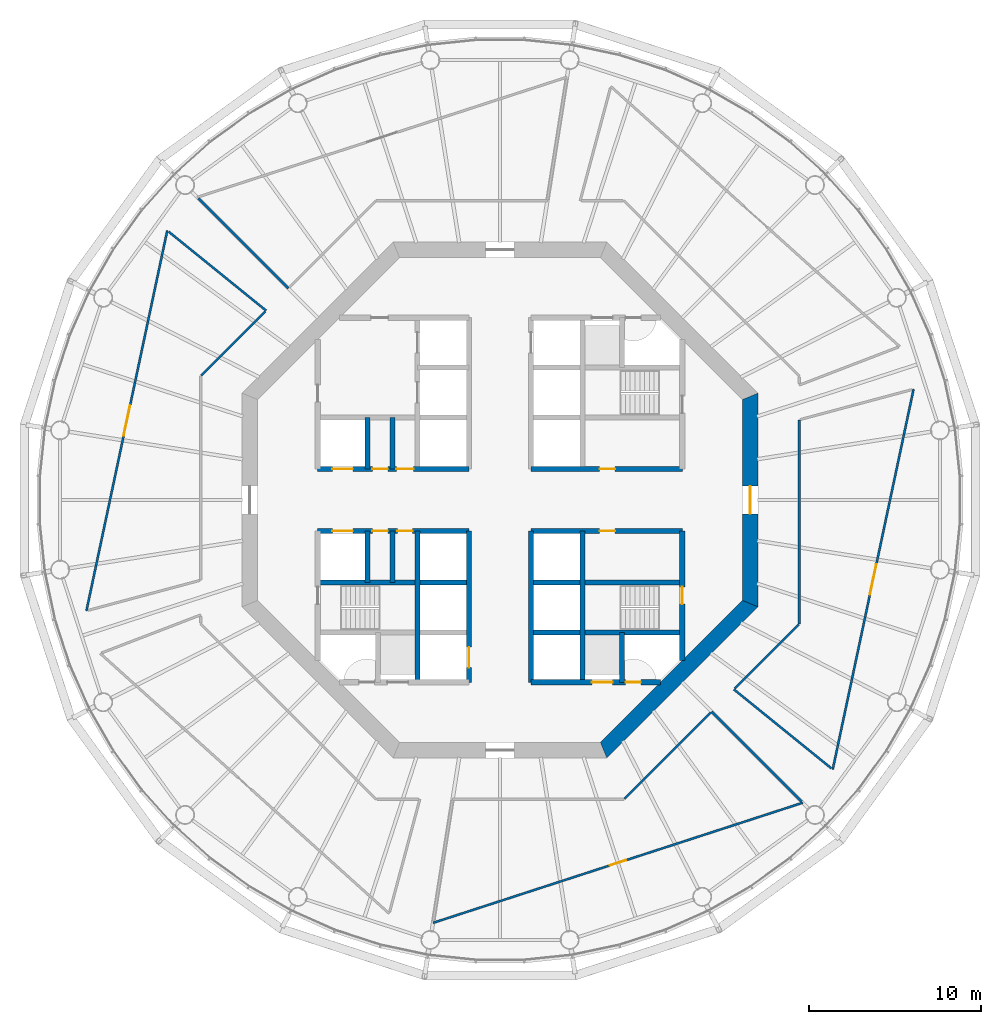
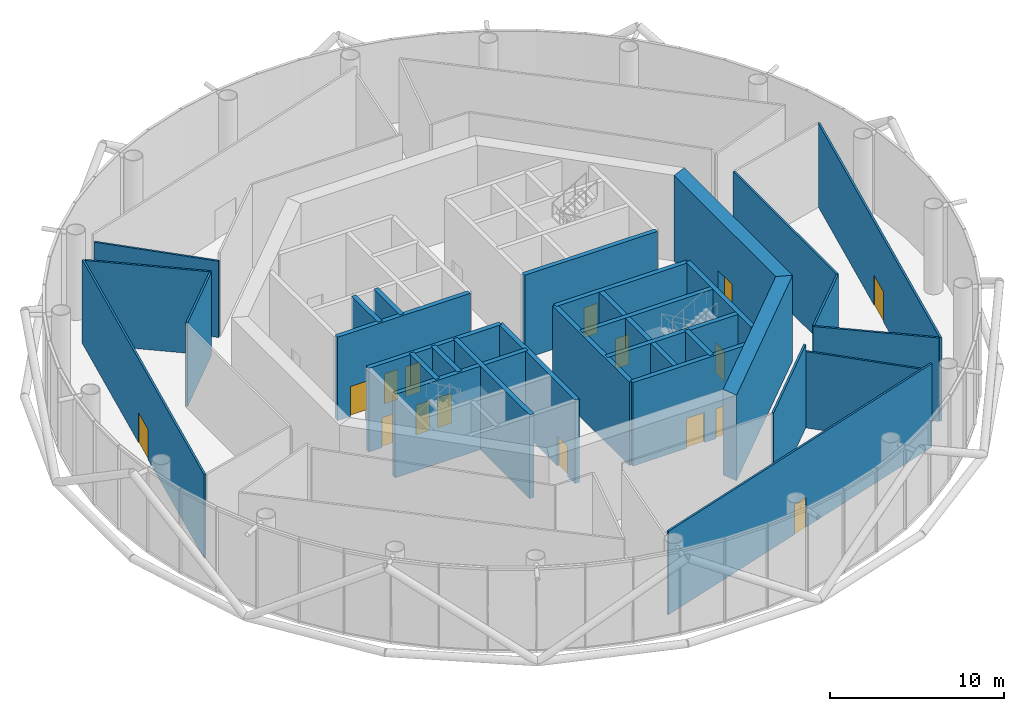
# One storey, part 4 of 14: 31 walls, 16 doors, 16 openings.
"""IFC4 building model written with IfcOpenShell, lengths in metres."""

from ifc_helpers import new_model, si_unit, direction, frame, frame_2d, origin, place, context, subcontext, project, spatial, polyline, rectangle, outline, extrude, material, layer, layer_set, type_object, element, fill, save


model = new_model("IFC4")

# Units and contexts
model_context = context("Model", 3, precision=1e-05, world=origin(), true_north=direction((0.0, 1.0)))
body_context = subcontext(model_context, "Body", "Model", "MODEL_VIEW")
ifc_project = project(units=[si_unit("LENGTHUNIT", "METRE"), si_unit("AREAUNIT", "SQUARE_METRE"), si_unit("VOLUMEUNIT", "CUBIC_METRE"), si_unit("PLANEANGLEUNIT", "RADIAN"), si_unit("MASSUNIT", "GRAM", prefix="KILO")], contexts=[model_context])

# Site, building, storey
site_placement = place(None, origin())
site = spatial("IfcSite", under=ifc_project, at=site_placement, CompositionType="ELEMENT")
building_placement = place(site_placement, origin())
building = spatial("IfcBuilding", under=site, at=building_placement, Name="Entoto Ring Tower", CompositionType="ELEMENT")
storey_placement = place(building_placement, frame((0.0, 0.0, 262.0)))
storey = spatial("IfcBuildingStorey", under=building, at=storey_placement, Name="L60", CompositionType="ELEMENT", Elevation=262.0)

# Wall, opening, door
ifc_material_1 = material(Name="Concrete C40/50", Category="concrete")
ifc_layer_1 = layer(ifc_material_1, 0.300048828125)
ifc_layer_set_1 = layer_set([ifc_layer_1], Name="Concrete C40/50")
wall_type_1 = type_object("IfcWallType", Name="Core enclosure wall 300 mm reinforced concrete", PredefinedType="SOLIDWALL", material=ifc_layer_set_1)
wall_1_placement = place(storey_placement, frame((100.60009765625, 70.65966796875, 0.0), z_axis=(0.0, 0.0, 1.0), x_axis=(0.0, 1.0, 0.0)))
wall_1 = element("IfcWall", 1, at=wall_1_placement, inside=storey, type_object=wall_type_1, Name="wall-L60-001", PredefinedType="SOLIDWALL", context=body_context, shape_type="SweptSolid", body=[
    extrude(rectangle(XDim=7.540283203125, YDim=0.300048828125, at=frame_2d((3.77001953125, 0.0))), origin(), (0.0, 0.0, 1.0), 5.85009765625),
])
opening_1_placement = place(wall_1_placement, frame((3.290283203125, 0.0, 0.0)))
opening_1 = element("IfcOpeningElement", 2, at=opening_1_placement, cuts=wall_1, Name="Opening K-65", PredefinedType="OPENING", context=body_context, shape_type="SweptSolid", body=[
    extrude(rectangle(XDim=1.0, YDim=2.10009765625, at=frame_2d((0.5, 1.050048828125))), frame((0.0, 0.16015625, 0.0), z_axis=(0.0, -1.0, 0.0), x_axis=(1.0, 0.0, 0.0)), (0.0, 0.0, 1.0), 0.320068359375),
])
ifc_material_2 = material(Name="Steel door leaf, fire rated", Category="steel")
ifc_layer_2 = layer(ifc_material_2, 0.050048828125)
ifc_layer_set_2 = layer_set([ifc_layer_2], Name="Steel door leaf, fire rated")
door_type_1 = type_object("IfcDoorType", Name="Fire door FD60 1000 x 2100 single leaf", OperationType="NOTDEFINED", PredefinedType="DOOR", material=ifc_layer_set_2)
door_1_placement = place(opening_1_placement, origin())
door_1 = element("IfcDoor", 3, at=door_1_placement, inside=storey, type_object=door_type_1, Name="Door K-65", OperationType="SINGLE_SWING_RIGHT", OverallHeight=2.10009765625, OverallWidth=1.0, PredefinedType="DOOR", context=body_context, shape_type="SweptSolid", body=[
    extrude(rectangle(XDim=1.0, YDim=2.10009765625, at=frame_2d((0.5, 1.050048828125))), frame((0.0, 0.02490234375, 0.0), z_axis=(0.0, -1.0, 0.0), x_axis=(1.0, 0.0, 0.0)), (0.0, 0.0, 1.0), 0.050048828125),
])
fill(opening_1, door_1)

# Walls
wall_2_placement = place(storey_placement, frame((97.10009765625, 69.39990234375, 0.0), z_axis=(0.0, 0.0, 1.0), x_axis=(0.0, 1.0, 0.0)))
element("IfcWall", 4, at=wall_2_placement, inside=storey, type_object=wall_type_1, Name="wall-L60-003", PredefinedType="SOLIDWALL", context=body_context, shape_type="SweptSolid", body=[
    extrude(rectangle(XDim=2.900146484375, YDim=0.300048828125, at=frame_2d((1.4501953125, 0.0))), origin(), (0.0, 0.0, 1.0), 5.85009765625),
])
for number, where, z_axis, x_axis, name in (
    (5, (94.800048828125, 69.39990234375, 0.0), (0.0, 0.0, 1.0), (0.0, 1.0, 0.0), "wall-L60-005"),
    (6, (91.800048828125, 69.39990234375, 0.0), (0.0, 0.0, 1.0), (0.0, 1.0, 0.0), "wall-L60-007"),
):
    element("IfcWall", number, at=place(storey_placement, frame(where, z_axis=z_axis, x_axis=x_axis)), inside=storey, type_object=wall_type_1, Name=name, PredefinedType="SOLIDWALL", context=body_context, shape_type="SweptSolid", body=[
        extrude(rectangle(XDim=8.800048828125, YDim=0.300048828125, at=frame_2d((4.39990234375, 0.0))), origin(), (0.0, 0.0, 1.0), 5.85009765625),
    ])

# Wall, opening, door
wall_3_placement = place(storey_placement, frame((88.199951171875, 69.39990234375, 0.0), z_axis=(0.0, 0.0, 1.0), x_axis=(0.0, 1.0, 0.0)))
wall_3 = element("IfcWall", 7, at=wall_3_placement, inside=storey, type_object=wall_type_1, Name="wall-L60-009", PredefinedType="SOLIDWALL", context=body_context, shape_type="SweptSolid", body=[
    extrude(rectangle(XDim=8.800048828125, YDim=0.300048828125, at=frame_2d((4.39990234375, 0.0))), origin(), (0.0, 0.0, 1.0), 5.85009765625),
])
opening_2_placement = place(wall_3_placement, frame((0.85009765625, 0.0, 0.0)))
opening_2 = element("IfcOpeningElement", 8, at=opening_2_placement, cuts=wall_3, Name="Opening LD", PredefinedType="OPENING", context=body_context, shape_type="SweptSolid", body=[
    extrude(rectangle(XDim=1.199951171875, YDim=2.10009765625, at=frame_2d((0.60009765625, 1.050048828125))), frame((0.0, 0.16015625, 0.0), z_axis=(0.0, -1.0, 0.0), x_axis=(1.0, 0.0, 0.0)), (0.0, 0.0, 1.0), 0.320068359375),
])
ifc_material_3 = material(Name="Steel and glass door leaf", Category="steel")
ifc_layer_3 = layer(ifc_material_3, 0.050048828125)
ifc_layer_set_3 = layer_set([ifc_layer_3], Name="Steel and glass door leaf")
door_type_2 = type_object("IfcDoorType", Name="Landing door 1200 x 2100 sliding", OperationType="DOUBLE_DOOR_SLIDING", PredefinedType="DOOR", material=ifc_layer_set_3)
door_2_placement = place(opening_2_placement, origin())
door_2 = element("IfcDoor", 9, at=door_2_placement, inside=storey, type_object=door_type_2, Name="Landing door SH4", OperationType="SLIDING_TO_RIGHT", OverallHeight=2.10009765625, OverallWidth=1.199951171875, PredefinedType="DOOR", context=body_context, shape_type="SweptSolid", body=[
    extrude(rectangle(XDim=1.199951171875, YDim=2.10009765625, at=frame_2d((0.60009765625, 1.050048828125))), frame((0.0, 0.02490234375, 0.0), z_axis=(0.0, -1.0, 0.0), x_axis=(1.0, 0.0, 0.0)), (0.0, 0.0, 1.0), 0.050048828125),
])
fill(opening_2, door_2)

# Walls
wall_4_placement = place(storey_placement, frame((85.199951171875, 69.39990234375, 0.0), z_axis=(0.0, 0.0, 1.0), x_axis=(0.0, 1.0, 0.0)))
element("IfcWall", 10, at=wall_4_placement, inside=storey, type_object=wall_type_1, Name="wall-L60-011", PredefinedType="SOLIDWALL", context=body_context, shape_type="SweptSolid", body=[
    extrude(rectangle(XDim=8.800048828125, YDim=0.300048828125, at=frame_2d((4.39990234375, 0.0))), origin(), (0.0, 0.0, 1.0), 5.85009765625),
])
for number, where, z_axis, x_axis, name in (
    (11, (83.75, 75.199951171875, 0.0), (0.0, 0.0, 1.0), (0.0, 1.0, 0.0), "wall-L60-013"),
    (12, (83.75, 81.800048828125, 0.0), (0.0, 0.0, 1.0), (0.0, 1.0, 0.0), "wall-L60-014"),
    (13, (82.300048828125, 75.199951171875, 0.0), (0.0, 0.0, 1.0), (0.0, 1.0, 0.0), "wall-L60-016"),
    (14, (82.300048828125, 81.800048828125, 0.0), (0.0, 0.0, 1.0), (0.0, 1.0, 0.0), "wall-L60-017"),
):
    element("IfcWall", number, at=place(storey_placement, frame(where, z_axis=z_axis, x_axis=x_axis)), inside=storey, type_object=wall_type_1, Name=name, PredefinedType="SOLIDWALL", context=body_context, shape_type="SweptSolid", body=[
        extrude(rectangle(XDim=3.0, YDim=0.300048828125, at=frame_2d((1.5, 0.0))), origin(), (0.0, 0.0, 1.0), 5.85009765625),
    ])

# Wall, openings, doors
wall_5_placement = place(storey_placement, frame((91.800048828125, 69.39990234375, 0.0), z_axis=(0.0, 0.0, 1.0), x_axis=(1.0, 0.0, 0.0)))
wall_5 = element("IfcWall", 15, at=wall_5_placement, inside=storey, type_object=wall_type_1, Name="wall-L60-021", PredefinedType="SOLIDWALL", context=body_context, shape_type="SweptSolid", body=[
    extrude(rectangle(XDim=7.540283203125, YDim=0.300048828125, at=frame_2d((3.77001953125, 0.0))), origin(), (0.0, 0.0, 1.0), 5.85009765625),
])
opening_3_placement = place(wall_5_placement, frame((3.550048828125, 0.0, 0.0)))
opening_3 = element("IfcOpeningElement", 16, at=opening_3_placement, cuts=wall_5, Name="Opening LD", PredefinedType="OPENING", context=body_context, shape_type="SweptSolid", body=[
    extrude(rectangle(XDim=1.199951171875, YDim=2.10009765625, at=frame_2d((0.60009765625, 1.050048828125))), frame((0.0, 0.16015625, 0.0), z_axis=(0.0, -1.0, 0.0), x_axis=(1.0, 0.0, 0.0)), (0.0, 0.0, 1.0), 0.320068359375),
])
opening_4_placement = place(wall_5_placement, frame((5.5, 0.0, 0.0)))
opening_4 = element("IfcOpeningElement", 17, at=opening_4_placement, cuts=wall_5, Name="Opening K-72", PredefinedType="OPENING", context=body_context, shape_type="SweptSolid", body=[
    extrude(rectangle(XDim=0.89990234375, YDim=2.10009765625, at=frame_2d((0.449951171875, 1.050048828125))), frame((0.0, 0.16015625, 0.0), z_axis=(0.0, -1.0, 0.0), x_axis=(1.0, 0.0, 0.0)), (0.0, 0.0, 1.0), 0.320068359375),
])
door_3_placement = place(opening_3_placement, origin())
door_3 = element("IfcDoor", 18, at=door_3_placement, inside=storey, type_object=door_type_2, Name="Landing door LB2-HR", OperationType="SLIDING_TO_RIGHT", OverallHeight=2.10009765625, OverallWidth=1.199951171875, PredefinedType="DOOR", context=body_context, shape_type="SweptSolid", body=[
    extrude(rectangle(XDim=1.199951171875, YDim=2.10009765625, at=frame_2d((0.60009765625, 1.050048828125))), frame((0.0, 0.02490234375, 0.0), z_axis=(0.0, -1.0, 0.0), x_axis=(1.0, 0.0, 0.0)), (0.0, 0.0, 1.0), 0.050048828125),
])
fill(opening_3, door_3)
ifc_material_4 = material(Name="Steel door leaf, fire rated", Category="steel")
ifc_layer_4 = layer(ifc_material_4, 0.050048828125)
ifc_layer_set_4 = layer_set([ifc_layer_4], Name="Steel door leaf, fire rated")
door_type_3 = type_object("IfcDoorType", Name="Riser door FD60 900 x 2100 single leaf", OperationType="NOTDEFINED", PredefinedType="DOOR", material=ifc_layer_set_4)
door_4_placement = place(opening_4_placement, origin())
door_4 = element("IfcDoor", 19, at=door_4_placement, inside=storey, type_object=door_type_3, Name="Door K-72", OperationType="SINGLE_SWING_LEFT", OverallHeight=2.10009765625, OverallWidth=0.89990234375, PredefinedType="DOOR", context=body_context, shape_type="SweptSolid", body=[
    extrude(rectangle(XDim=0.89990234375, YDim=2.10009765625, at=frame_2d((0.449951171875, 1.050048828125))), frame((0.0, 0.02490234375, 0.0), z_axis=(0.0, -1.0, 0.0), x_axis=(1.0, 0.0, 0.0)), (0.0, 0.0, 1.0), 0.050048828125),
])
fill(opening_4, door_4)

# Walls
for number, where, z_axis, x_axis, name in (
    (20, (91.800048828125, 72.300048828125, 0.0), (0.0, 0.0, 1.0), (1.0, 0.0, 0.0), "wall-L60-023"),
    (21, (79.39990234375, 75.199951171875, 0.0), (0.0, 0.0, 1.0), (1.0, 0.0, 0.0), "wall-L60-024"),
    (22, (91.800048828125, 75.199951171875, 0.0), (0.0, 0.0, 1.0), (1.0, 0.0, 0.0), "wall-L60-025"),
):
    element("IfcWall", number, at=place(storey_placement, frame(where, z_axis=z_axis, x_axis=x_axis)), inside=storey, type_object=wall_type_1, Name=name, PredefinedType="SOLIDWALL", context=body_context, shape_type="SweptSolid", body=[
        extrude(rectangle(XDim=8.800048828125, YDim=0.300048828125, at=frame_2d((4.39990234375, 0.0))), origin(), (0.0, 0.0, 1.0), 5.85009765625),
    ])

# Wall, openings, doors
wall_6_placement = place(storey_placement, frame((79.39990234375, 78.199951171875, 0.0), z_axis=(0.0, 0.0, 1.0), x_axis=(1.0, 0.0, 0.0)))
wall_6 = element("IfcWall", 23, at=wall_6_placement, inside=storey, type_object=wall_type_1, Name="wall-L60-026", PredefinedType="SOLIDWALL", context=body_context, shape_type="SweptSolid", body=[
    extrude(rectangle(XDim=8.800048828125, YDim=0.300048828125, at=frame_2d((4.39990234375, 0.0))), origin(), (0.0, 0.0, 1.0), 5.85009765625),
])
opening_5_placement = place(wall_6_placement, frame((0.85009765625, 0.0, 0.0)))
opening_5 = element("IfcOpeningElement", 24, at=opening_5_placement, cuts=wall_6, Name="Opening LD", PredefinedType="OPENING", context=body_context, shape_type="SweptSolid", body=[
    extrude(rectangle(XDim=1.199951171875, YDim=2.10009765625, at=frame_2d((0.60009765625, 1.050048828125))), frame((0.0, 0.16015625, 0.0), z_axis=(0.0, -1.0, 0.0), x_axis=(1.0, 0.0, 0.0)), (0.0, 0.0, 1.0), 0.320068359375),
])
opening_6_placement = place(wall_6_placement, frame((3.175048828125, 0.0, 0.0)))
opening_6 = element("IfcOpeningElement", 25, at=opening_6_placement, cuts=wall_6, Name="Opening K-16", PredefinedType="OPENING", context=body_context, shape_type="SweptSolid", body=[
    extrude(rectangle(XDim=0.89990234375, YDim=2.10009765625, at=frame_2d((0.449951171875, 1.050048828125))), frame((0.0, 0.16015625, 0.0), z_axis=(0.0, -1.0, 0.0), x_axis=(1.0, 0.0, 0.0)), (0.0, 0.0, 1.0), 0.320068359375),
])
opening_7_placement = place(wall_6_placement, frame((4.625, 0.0, 0.0)))
opening_7 = element("IfcOpeningElement", 26, at=opening_7_placement, cuts=wall_6, Name="Opening K-57", PredefinedType="OPENING", context=body_context, shape_type="SweptSolid", body=[
    extrude(rectangle(XDim=0.89990234375, YDim=2.10009765625, at=frame_2d((0.449951171875, 1.050048828125))), frame((0.0, 0.16015625, 0.0), z_axis=(0.0, -1.0, 0.0), x_axis=(1.0, 0.0, 0.0)), (0.0, 0.0, 1.0), 0.320068359375),
])
ifc_material_5 = material(Name="Steel door leaf, fire rated", Category="steel")
ifc_layer_5 = layer(ifc_material_5, 0.050048828125)
ifc_layer_set_5 = layer_set([ifc_layer_5], Name="Steel door leaf, fire rated")
door_type_4 = type_object("IfcDoorType", Name="Core door 900 x 2100 single leaf", OperationType="NOTDEFINED", PredefinedType="DOOR", material=ifc_layer_set_5)
door_5_placement = place(opening_6_placement, frame((0.89990234375, 0.0, 0.0), z_axis=(0.0, 0.0, 1.0), x_axis=(-1.0, 0.0, 0.0)))
door_5 = element("IfcDoor", 27, at=door_5_placement, inside=storey, type_object=door_type_4, Name="Door K-16", OperationType="SINGLE_SWING_LEFT", OverallHeight=2.10009765625, OverallWidth=0.89990234375, PredefinedType="DOOR", context=body_context, shape_type="SweptSolid", body=[
    extrude(rectangle(XDim=0.89990234375, YDim=2.10009765625, at=frame_2d((0.449951171875, 1.050048828125))), frame((0.0, 0.02490234375, 0.0), z_axis=(0.0, -1.0, 0.0), x_axis=(1.0, 0.0, 0.0)), (0.0, 0.0, 1.0), 0.050048828125),
])
fill(opening_6, door_5)
door_6_placement = place(opening_7_placement, frame((0.89990234375, 0.0, 0.0), z_axis=(0.0, 0.0, 1.0), x_axis=(-1.0, 0.0, 0.0)))
door_6 = element("IfcDoor", 28, at=door_6_placement, inside=storey, type_object=door_type_4, Name="Door K-57", OperationType="SINGLE_SWING_LEFT", OverallHeight=2.10009765625, OverallWidth=0.89990234375, PredefinedType="DOOR", context=body_context, shape_type="SweptSolid", body=[
    extrude(rectangle(XDim=0.89990234375, YDim=2.10009765625, at=frame_2d((0.449951171875, 1.050048828125))), frame((0.0, 0.02490234375, 0.0), z_axis=(0.0, -1.0, 0.0), x_axis=(1.0, 0.0, 0.0)), (0.0, 0.0, 1.0), 0.050048828125),
])
fill(opening_7, door_6)
door_7_placement = place(opening_5_placement, origin())
door_7 = element("IfcDoor", 29, at=door_7_placement, inside=storey, type_object=door_type_2, Name="Landing door SH2", OperationType="SLIDING_TO_RIGHT", OverallHeight=2.10009765625, OverallWidth=1.199951171875, PredefinedType="DOOR", context=body_context, shape_type="SweptSolid", body=[
    extrude(rectangle(XDim=1.199951171875, YDim=2.10009765625, at=frame_2d((0.60009765625, 1.050048828125))), frame((0.0, 0.02490234375, 0.0), z_axis=(0.0, -1.0, 0.0), x_axis=(1.0, 0.0, 0.0)), (0.0, 0.0, 1.0), 0.050048828125),
])
fill(opening_5, door_7)

# Wall, opening, door
wall_7_placement = place(storey_placement, frame((91.800048828125, 78.199951171875, 0.0), z_axis=(0.0, 0.0, 1.0), x_axis=(1.0, 0.0, 0.0)))
wall_7 = element("IfcWall", 30, at=wall_7_placement, inside=storey, type_object=wall_type_1, Name="wall-L60-027", PredefinedType="SOLIDWALL", context=body_context, shape_type="SweptSolid", body=[
    extrude(rectangle(XDim=8.800048828125, YDim=0.300048828125, at=frame_2d((4.39990234375, 0.0))), origin(), (0.0, 0.0, 1.0), 5.85009765625),
])
opening_8_placement = place(wall_7_placement, frame((4.0, 0.0, 0.0)))
opening_8 = element("IfcOpeningElement", 31, at=opening_8_placement, cuts=wall_7, Name="Opening K-15", PredefinedType="OPENING", context=body_context, shape_type="SweptSolid", body=[
    extrude(rectangle(XDim=0.89990234375, YDim=2.10009765625, at=frame_2d((0.449951171875, 1.050048828125))), frame((0.0, 0.16015625, 0.0), z_axis=(0.0, -1.0, 0.0), x_axis=(1.0, 0.0, 0.0)), (0.0, 0.0, 1.0), 0.320068359375),
])
door_8_placement = place(opening_8_placement, frame((0.89990234375, 0.0, 0.0), z_axis=(0.0, 0.0, 1.0), x_axis=(-1.0, 0.0, 0.0)))
door_8 = element("IfcDoor", 32, at=door_8_placement, inside=storey, type_object=door_type_4, Name="Door K-15", OperationType="SINGLE_SWING_RIGHT", OverallHeight=2.10009765625, OverallWidth=0.89990234375, PredefinedType="DOOR", context=body_context, shape_type="SweptSolid", body=[
    extrude(rectangle(XDim=0.89990234375, YDim=2.10009765625, at=frame_2d((0.449951171875, 1.050048828125))), frame((0.0, 0.02490234375, 0.0), z_axis=(0.0, -1.0, 0.0), x_axis=(1.0, 0.0, 0.0)), (0.0, 0.0, 1.0), 0.050048828125),
])
fill(opening_8, door_8)

# Wall, openings, doors
wall_8_placement = place(storey_placement, frame((79.39990234375, 81.800048828125, 0.0), z_axis=(0.0, 0.0, 1.0), x_axis=(1.0, 0.0, 0.0)))
wall_8 = element("IfcWall", 33, at=wall_8_placement, inside=storey, type_object=wall_type_1, Name="wall-L60-028", PredefinedType="SOLIDWALL", context=body_context, shape_type="SweptSolid", body=[
    extrude(rectangle(XDim=8.800048828125, YDim=0.300048828125, at=frame_2d((4.39990234375, 0.0))), origin(), (0.0, 0.0, 1.0), 5.85009765625),
])
opening_9_placement = place(wall_8_placement, frame((0.85009765625, 0.0, 0.0)))
opening_9 = element("IfcOpeningElement", 34, at=opening_9_placement, cuts=wall_8, Name="Opening LD", PredefinedType="OPENING", context=body_context, shape_type="SweptSolid", body=[
    extrude(rectangle(XDim=1.199951171875, YDim=2.10009765625, at=frame_2d((0.60009765625, 1.050048828125))), frame((0.0, 0.16015625, 0.0), z_axis=(0.0, -1.0, 0.0), x_axis=(1.0, 0.0, 0.0)), (0.0, 0.0, 1.0), 0.320068359375),
])
opening_10_placement = place(wall_8_placement, frame((3.175048828125, 0.0, 0.0)))
opening_10 = element("IfcOpeningElement", 35, at=opening_10_placement, cuts=wall_8, Name="Opening K-46", PredefinedType="OPENING", context=body_context, shape_type="SweptSolid", body=[
    extrude(rectangle(XDim=0.89990234375, YDim=2.10009765625, at=frame_2d((0.449951171875, 1.050048828125))), frame((0.0, 0.16015625, 0.0), z_axis=(0.0, -1.0, 0.0), x_axis=(1.0, 0.0, 0.0)), (0.0, 0.0, 1.0), 0.320068359375),
])
opening_11_placement = place(wall_8_placement, frame((4.574951171875, 0.0, 0.0)))
opening_11 = element("IfcOpeningElement", 36, at=opening_11_placement, cuts=wall_8, Name="Opening K-50", PredefinedType="OPENING", context=body_context, shape_type="SweptSolid", body=[
    extrude(rectangle(XDim=1.0, YDim=2.10009765625, at=frame_2d((0.5, 1.050048828125))), frame((0.0, 0.16015625, 0.0), z_axis=(0.0, -1.0, 0.0), x_axis=(1.0, 0.0, 0.0)), (0.0, 0.0, 1.0), 0.320068359375),
])
ifc_material_6 = material(Name="Steel door leaf, fire rated", Category="steel")
ifc_layer_6 = layer(ifc_material_6, 0.050048828125)
ifc_layer_set_6 = layer_set([ifc_layer_6], Name="Steel door leaf, fire rated")
door_type_5 = type_object("IfcDoorType", Name="Accessible door 1000 x 2100 single leaf", OperationType="NOTDEFINED", PredefinedType="DOOR", material=ifc_layer_set_6)
door_9_placement = place(opening_11_placement, frame((1.0, 0.0, 0.0), z_axis=(0.0, 0.0, 1.0), x_axis=(-1.0, 0.0, 0.0)))
door_9 = element("IfcDoor", 37, at=door_9_placement, inside=storey, type_object=door_type_5, Name="Door K-50", OperationType="SINGLE_SWING_RIGHT", OverallHeight=2.10009765625, OverallWidth=1.0, PredefinedType="DOOR", context=body_context, shape_type="SweptSolid", body=[
    extrude(rectangle(XDim=1.0, YDim=2.10009765625, at=frame_2d((0.5, 1.050048828125))), frame((0.0, 0.02490234375, 0.0), z_axis=(0.0, -1.0, 0.0), x_axis=(1.0, 0.0, 0.0)), (0.0, 0.0, 1.0), 0.050048828125),
])
fill(opening_11, door_9)
door_10_placement = place(opening_10_placement, frame((0.89990234375, 0.0, 0.0), z_axis=(0.0, 0.0, 1.0), x_axis=(-1.0, 0.0, 0.0)))
door_10 = element("IfcDoor", 38, at=door_10_placement, inside=storey, type_object=door_type_4, Name="Door K-46", OperationType="SINGLE_SWING_RIGHT", OverallHeight=2.10009765625, OverallWidth=0.89990234375, PredefinedType="DOOR", context=body_context, shape_type="SweptSolid", body=[
    extrude(rectangle(XDim=0.89990234375, YDim=2.10009765625, at=frame_2d((0.449951171875, 1.050048828125))), frame((0.0, 0.02490234375, 0.0), z_axis=(0.0, -1.0, 0.0), x_axis=(1.0, 0.0, 0.0)), (0.0, 0.0, 1.0), 0.050048828125),
])
fill(opening_10, door_10)
door_11_placement = place(opening_9_placement, origin())
door_11 = element("IfcDoor", 39, at=door_11_placement, inside=storey, type_object=door_type_2, Name="Landing door SH1", OperationType="SLIDING_TO_RIGHT", OverallHeight=2.10009765625, OverallWidth=1.199951171875, PredefinedType="DOOR", context=body_context, shape_type="SweptSolid", body=[
    extrude(rectangle(XDim=1.199951171875, YDim=2.10009765625, at=frame_2d((0.60009765625, 1.050048828125))), frame((0.0, 0.02490234375, 0.0), z_axis=(0.0, -1.0, 0.0), x_axis=(1.0, 0.0, 0.0)), (0.0, 0.0, 1.0), 0.050048828125),
])
fill(opening_9, door_11)

# Wall, opening, door
wall_9_placement = place(storey_placement, frame((91.800048828125, 81.800048828125, 0.0), z_axis=(0.0, 0.0, 1.0), x_axis=(1.0, 0.0, 0.0)))
wall_9 = element("IfcWall", 40, at=wall_9_placement, inside=storey, type_object=wall_type_1, Name="wall-L60-029", PredefinedType="SOLIDWALL", context=body_context, shape_type="SweptSolid", body=[
    extrude(rectangle(XDim=8.800048828125, YDim=0.300048828125, at=frame_2d((4.39990234375, 0.0))), origin(), (0.0, 0.0, 1.0), 5.85009765625),
])
opening_12_placement = place(wall_9_placement, frame((4.0, 0.0, 0.0)))
opening_12 = element("IfcOpeningElement", 41, at=opening_12_placement, cuts=wall_9, Name="Opening K-12", PredefinedType="OPENING", context=body_context, shape_type="SweptSolid", body=[
    extrude(rectangle(XDim=0.89990234375, YDim=2.10009765625, at=frame_2d((0.449951171875, 1.050048828125))), frame((0.0, 0.16015625, 0.0), z_axis=(0.0, -1.0, 0.0), x_axis=(1.0, 0.0, 0.0)), (0.0, 0.0, 1.0), 0.320068359375),
])
door_12_placement = place(opening_12_placement, frame((0.89990234375, 0.0, 0.0), z_axis=(0.0, 0.0, 1.0), x_axis=(-1.0, 0.0, 0.0)))
door_12 = element("IfcDoor", 42, at=door_12_placement, inside=storey, type_object=door_type_4, Name="Door K-12", OperationType="SINGLE_SWING_LEFT", OverallHeight=2.10009765625, OverallWidth=0.89990234375, PredefinedType="DOOR", context=body_context, shape_type="SweptSolid", body=[
    extrude(rectangle(XDim=0.89990234375, YDim=2.10009765625, at=frame_2d((0.449951171875, 1.050048828125))), frame((0.0, 0.02490234375, 0.0), z_axis=(0.0, -1.0, 0.0), x_axis=(1.0, 0.0, 0.0)), (0.0, 0.0, 1.0), 0.050048828125),
])
fill(opening_12, door_12)

ifc_material_7 = material(Name="Concrete C50/60", Category="concrete")
ifc_layer_7 = layer(ifc_material_7, 0.89990234375)
ifc_layer_set_7 = layer_set([ifc_layer_7], Name="Concrete C50/60")
wall_type_2 = type_object("IfcWallType", Name="Core shear wall 900 mm reinforced concrete C50/60", PredefinedType="SHEAR", material=ifc_layer_set_7)
wall_10_placement = place(storey_placement, frame((104.550048828125, 73.97314453125, 0.0), z_axis=(0.0, 0.0, 1.0), x_axis=(0.0, 1.0, 0.0)))
wall_10 = element("IfcWall", 43, at=wall_10_placement, inside=storey, type_object=wall_type_2, Name="wall-L60-core-0", PredefinedType="SHEAR", context=body_context, shape_type="SweptSolid", body=[
    extrude(outline(polyline([(-0.186279296875, -0.449951171875), (12.239990234375, -0.449951171875), (11.867431640625, 0.449951171875), (0.186279296875, 0.449951171875), (-0.186279296875, -0.449951171875)])), origin(), (0.0, 0.0, 1.0), 6.0),
])
opening_13_placement = place(wall_10_placement, frame((5.226806640625, 0.0, 0.0)))
opening_13 = element("IfcOpeningElement", 44, at=opening_13_placement, cuts=wall_10, Name="Opening K-01", PredefinedType="OPENING", context=body_context, shape_type="SweptSolid", body=[
    extrude(rectangle(XDim=1.60009765625, YDim=2.39990234375, at=frame_2d((0.800048828125, 1.199951171875))), frame((0.0, 0.4599609375, 0.0), z_axis=(0.0, -1.0, 0.0), x_axis=(1.0, 0.0, 0.0)), (0.0, 0.0, 1.0), 0.919921875),
])
ifc_material_8 = material(Name="Steel door leaf, fire rated", Category="steel")
ifc_layer_8 = layer(ifc_material_8, 0.050048828125)
ifc_layer_set_8 = layer_set([ifc_layer_8], Name="Steel door leaf, fire rated")
door_type_6 = type_object("IfcDoorType", Name="Entrance door FD60 1600 x 2400 double leaf", OperationType="DOUBLE_DOOR_SINGLE_SWING", PredefinedType="DOOR", material=ifc_layer_set_8)
door_13_placement = place(opening_13_placement, origin())
door_13 = element("IfcDoor", 45, at=door_13_placement, inside=storey, type_object=door_type_6, Name="Entrance door K-01", OperationType="DOUBLE_DOOR_SINGLE_SWING", OverallHeight=2.39990234375, OverallWidth=1.60009765625, PredefinedType="DOOR", context=body_context, shape_type="SweptSolid", body=[
    extrude(rectangle(XDim=1.60009765625, YDim=2.39990234375, at=frame_2d((0.800048828125, 1.199951171875))), frame((0.0, 0.02490234375, 0.0), z_axis=(0.0, -1.0, 0.0), x_axis=(1.0, 0.0, 0.0)), (0.0, 0.0, 1.0), 0.050048828125),
])
fill(opening_13, door_13)

# Wall
wall_11_placement = place(storey_placement, frame((96.02685546875, 65.449951171875, 0.0), z_axis=(0.0, 0.0, 1.0), x_axis=(0.707106781187, 0.707106781187, 0.0)))
element("IfcWall", 46, at=wall_11_placement, inside=storey, type_object=wall_type_2, Name="wall-L60-core-7", PredefinedType="SHEAR", context=body_context, shape_type="SweptSolid", body=[
    extrude(outline(polyline([(-0.186279296875, -0.449951171875), (12.239990234375, -0.449951171875), (11.867431640625, 0.449951171875), (0.186279296875, 0.449951171875), (-0.186279296875, -0.449951171875)])), origin(), (0.0, 0.0, 1.0), 6.0),
])

# Wall, opening, door
ifc_material_9 = material(Name="Fire-resisting plasterboard on steel studs", Category="steel")
ifc_layer_9 = layer(ifc_material_9, 0.125)
ifc_layer_set_9 = layer_set([ifc_layer_9], Name="Fire-resisting plasterboard on steel studs")
wall_type_3 = type_object("IfcWallType", Name="Corridor wall 125 mm one-hour plasterboard on steel studs", PredefinedType="PARTITIONING", material=ifc_layer_set_9)
wall_12_placement = place(storey_placement, frame((65.948486328125, 73.555419921875, 0.0), z_axis=(0.0, 0.0, 1.0), x_axis=(0.20791377297, 0.978147158156, 0.0)))
wall_12 = element("IfcWall", 47, at=wall_12_placement, inside=storey, type_object=wall_type_3, Name="partition-L60-003", PredefinedType="PARTITIONING", context=body_context, shape_type="SweptSolid", body=[
    extrude(rectangle(XDim=22.60888671875, YDim=0.125, at=frame_2d((11.304443359375, 0.0))), origin(), (0.0, 0.0, 1.0), 5.85009765625),
])
opening_14_placement = place(wall_12_placement, frame((10.404296875, 0.0, 0.0)))
opening_14 = element("IfcOpeningElement", 48, at=opening_14_placement, cuts=wall_12, Name="Opening A26-D03", PredefinedType="OPENING", context=body_context, shape_type="SweptSolid", body=[
    extrude(rectangle(XDim=1.800048828125, YDim=2.10009765625, at=frame_2d((0.89990234375, 1.050048828125))), frame((0.0, 0.072509765625, 0.0), z_axis=(0.0, -1.0, 0.0), x_axis=(1.0, 0.0, 0.0)), (0.0, 0.0, 1.0), 0.14501953125),
])
ifc_material_10 = material(Name="Fire-resisting timber door set", Category="wood")
door_type_7 = type_object("IfcDoorType", Name="Door 1800 x 2100 double leaf FD30S fire door", OperationType="DOUBLE_DOOR_SINGLE_SWING", PredefinedType="DOOR", material=ifc_material_10)
door_14_placement = place(opening_14_placement, frame((1.800048828125, 0.0, 0.0), z_axis=(0.0, 0.0, 1.0), x_axis=(-1.0, 0.0, 0.0)))
door_14 = element("IfcDoor", 49, at=door_14_placement, inside=storey, type_object=door_type_7, Name="Door A26-D03", OperationType="DOUBLE_DOOR_SINGLE_SWING", OverallHeight=2.10009765625, OverallWidth=1.800048828125, PredefinedType="DOOR", context=body_context, shape_type="SweptSolid", body=[
    extrude(rectangle(XDim=1.800048828125, YDim=2.10009765625, at=frame_2d((0.89990234375, 1.050048828125))), frame((0.0, 0.02490234375, 0.0), z_axis=(0.0, -1.0, 0.0), x_axis=(1.0, 0.0, 0.0)), (0.0, 0.0, 1.0), 0.050048828125),
])
fill(opening_14, door_14)

wall_13_placement = place(storey_placement, frame((109.350830078125, 64.329833984375, 0.0), z_axis=(0.0, 0.0, 1.0), x_axis=(0.20791377297, 0.978147158156, 0.0)))
wall_13 = element("IfcWall", 50, at=wall_13_placement, inside=storey, type_object=wall_type_3, Name="partition-L60-004", PredefinedType="PARTITIONING", context=body_context, shape_type="SweptSolid", body=[
    extrude(rectangle(XDim=22.60888671875, YDim=0.125, at=frame_2d((11.304443359375, 0.0))), origin(), (0.0, 0.0, 1.0), 5.85009765625),
])
opening_15_placement = place(wall_13_placement, frame((10.404296875, 0.0, 0.0)))
opening_15 = element("IfcOpeningElement", 51, at=opening_15_placement, cuts=wall_13, Name="Opening A26-D06", PredefinedType="OPENING", context=body_context, shape_type="SweptSolid", body=[
    extrude(rectangle(XDim=1.800048828125, YDim=2.10009765625, at=frame_2d((0.89990234375, 1.050048828125))), frame((0.0, 0.072509765625, 0.0), z_axis=(0.0, -1.0, 0.0), x_axis=(1.0, 0.0, 0.0)), (0.0, 0.0, 1.0), 0.14501953125),
])
door_15_placement = place(opening_15_placement, origin())
door_15 = element("IfcDoor", 52, at=door_15_placement, inside=storey, type_object=door_type_7, Name="Door A26-D06", OperationType="DOUBLE_DOOR_SINGLE_SWING", OverallHeight=2.10009765625, OverallWidth=1.800048828125, PredefinedType="DOOR", context=body_context, shape_type="SweptSolid", body=[
    extrude(rectangle(XDim=1.800048828125, YDim=2.10009765625, at=frame_2d((0.89990234375, 1.050048828125))), frame((0.0, 0.02490234375, 0.0), z_axis=(0.0, -1.0, 0.0), x_axis=(1.0, 0.0, 0.0)), (0.0, 0.0, 1.0), 0.050048828125),
])
fill(opening_15, door_15)

wall_14_placement = place(storey_placement, frame((86.104736328125, 55.406494140625, 0.0), z_axis=(0.0, 0.0, 1.0), x_axis=(0.951055413167, 0.309020389434, 0.0)))
wall_14 = element("IfcWall", 53, at=wall_14_placement, inside=storey, type_object=wall_type_3, Name="partition-L60-006", PredefinedType="PARTITIONING", context=body_context, shape_type="SweptSolid", body=[
    extrude(rectangle(XDim=22.60888671875, YDim=0.125, at=frame_2d((11.304443359375, 0.0))), origin(), (0.0, 0.0, 1.0), 5.85009765625),
])
opening_16_placement = place(wall_14_placement, frame((10.804443359375, 0.0, 0.0)))
opening_16 = element("IfcOpeningElement", 54, at=opening_16_placement, cuts=wall_14, Name="Opening A26-D05", PredefinedType="OPENING", context=body_context, shape_type="SweptSolid", body=[
    extrude(rectangle(XDim=1.0, YDim=2.10009765625, at=frame_2d((0.5, 1.050048828125))), frame((0.0, 0.072509765625, 0.0), z_axis=(0.0, -1.0, 0.0), x_axis=(1.0, 0.0, 0.0)), (0.0, 0.0, 1.0), 0.14501953125),
])
ifc_material_11 = material(Name="Fire-resisting timber door set", Category="wood")
door_type_8 = type_object("IfcDoorType", Name="Door 1000 x 2100 single leaf FD30S fire door", OperationType="NOTDEFINED", PredefinedType="DOOR", material=ifc_material_11)
door_16_placement = place(opening_16_placement, origin())
door_16 = element("IfcDoor", 55, at=door_16_placement, inside=storey, type_object=door_type_8, Name="Door A26-D05", OperationType="SINGLE_SWING_RIGHT", OverallHeight=2.10009765625, OverallWidth=1.0, PredefinedType="DOOR", context=body_context, shape_type="SweptSolid", body=[
    extrude(rectangle(XDim=1.0, YDim=2.10009765625, at=frame_2d((0.5, 1.050048828125))), frame((0.0, 0.02490234375, 0.0), z_axis=(0.0, -1.0, 0.0), x_axis=(1.0, 0.0, 0.0)), (0.0, 0.0, 1.0), 0.050048828125),
])
fill(opening_16, door_16)

# Walls
wall_15_placement = place(storey_placement, frame((107.39990234375, 72.792724609375, 0.0), z_axis=(0.0, 0.0, 1.0), x_axis=(0.0, 1.0, 0.0)))
element("IfcWall", 56, at=wall_15_placement, inside=storey, type_object=wall_type_3, Name="partition-L60-010", PredefinedType="PARTITIONING", context=body_context, shape_type="SweptSolid", body=[
    extrude(rectangle(XDim=11.86962890625, YDim=0.125, at=frame_2d((5.934814453125, 0.0))), origin(), (0.0, 0.0, 1.0), 5.85009765625),
])
for number, where, z_axis, x_axis, name in (
    (57, (76.4033203125, 91.010498046875, 0.0), (0.0, 0.0, 1.0), (-0.777152990026, 0.62931171139, 0.0), "partition-L60-015"),
    (58, (109.271728515625, 64.39404296875, 0.0), (0.0, 0.0, 1.0), (-0.777152990026, 0.62931171139, 0.0), "partition-L60-016"),
):
    element("IfcWall", number, at=place(storey_placement, frame(where, z_axis=z_axis, x_axis=x_axis)), inside=storey, type_object=wall_type_3, Name=name, PredefinedType="PARTITIONING", context=body_context, shape_type="SweptSolid", body=[
        extrude(rectangle(XDim=7.30224609375, YDim=0.125, at=frame_2d((3.651123046875, 0.0))), origin(), (0.0, 0.0, 1.0), 5.85009765625),
    ])
wall_16_placement = place(storey_placement, frame((97.23828125, 62.631103515625, 0.0), z_axis=(0.0, 0.0, 1.0), x_axis=(0.707123971719, 0.707089590236, 0.0)))
element("IfcWall", 59, at=wall_16_placement, inside=storey, type_object=wall_type_3, Name="partition-L60-020", PredefinedType="PARTITIONING", context=body_context, shape_type="SweptSolid", body=[
    extrude(rectangle(XDim=7.100830078125, YDim=0.125, at=frame_2d((3.55029296875, 0.0))), origin(), (0.0, 0.0, 1.0), 5.85009765625),
])
for number, where, z_axis, x_axis, name in (
    (60, (72.631103515625, 87.23828125, 0.0), (0.0, 0.0, 1.0), (0.707083596217, 0.707129965395, 0.0), "partition-L60-027"),
    (61, (103.64599609375, 69.03857421875, 0.0), (0.0, 0.0, 1.0), (0.707083596217, 0.707129965395, 0.0), "partition-L60-028"),
):
    element("IfcWall", number, at=place(storey_placement, frame(where, z_axis=z_axis, x_axis=x_axis)), inside=storey, type_object=wall_type_3, Name=name, PredefinedType="PARTITIONING", context=body_context, shape_type="SweptSolid", body=[
        extrude(rectangle(XDim=5.26513671875, YDim=0.125, at=frame_2d((2.632568359375, 0.0))), origin(), (0.0, 0.0, 1.0), 5.85009765625),
    ])
ifc_material_12 = material(Name="Fire-resisting plasterboard on steel studs", Category="steel")
ifc_layer_10 = layer(ifc_material_12, 0.125)
ifc_layer_set_10 = layer_set([ifc_layer_10], Name="Fire-resisting plasterboard on steel studs")
wall_type_4 = type_object("IfcWallType", Name="Corridor wall 125 mm one-hour plasterboard on steel studs, 5350 mm high", PredefinedType="PARTITIONING", material=ifc_layer_set_10)
for number, where, z_axis, x_axis, name in (
    (62, (77.6962890625, 92.3037109375, 0.0), (0.0, 0.0, 1.0), (-0.707106781187, 0.707106781187, 0.0), "partition-L60-013"),
    (63, (107.534912109375, 62.465087890625, 0.0), (0.0, 0.0, 1.0), (-0.707106781187, 0.707106781187, 0.0), "partition-L60-014"),
):
    element("IfcWall", number, at=place(storey_placement, frame(where, z_axis=z_axis, x_axis=x_axis)), inside=storey, type_object=wall_type_4, Name=name, PredefinedType="PARTITIONING", context=body_context, shape_type="SweptSolid", body=[
        extrude(rectangle(XDim=7.39794921875, YDim=0.125, at=frame_2d((3.698974609375, 0.0))), origin(), (0.0, 0.0, 1.0), 5.35009765625),
    ])

save(model, "model.ifc")
